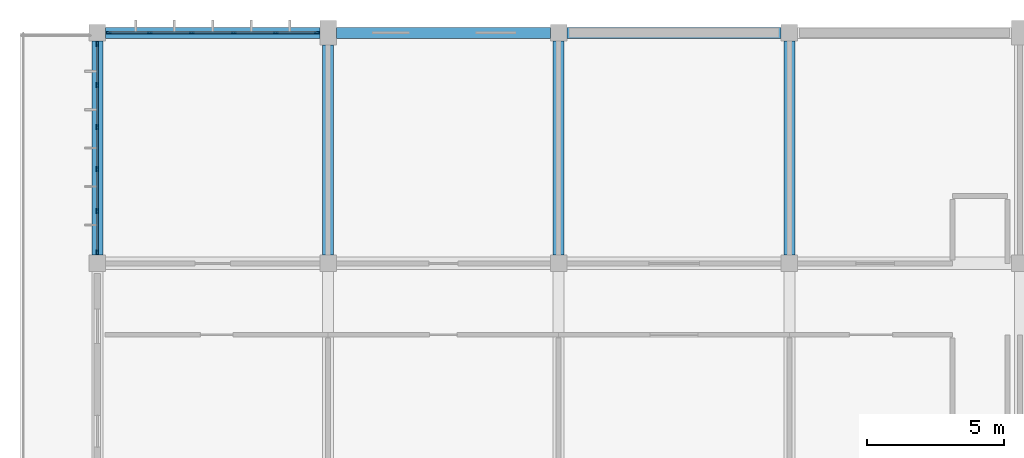
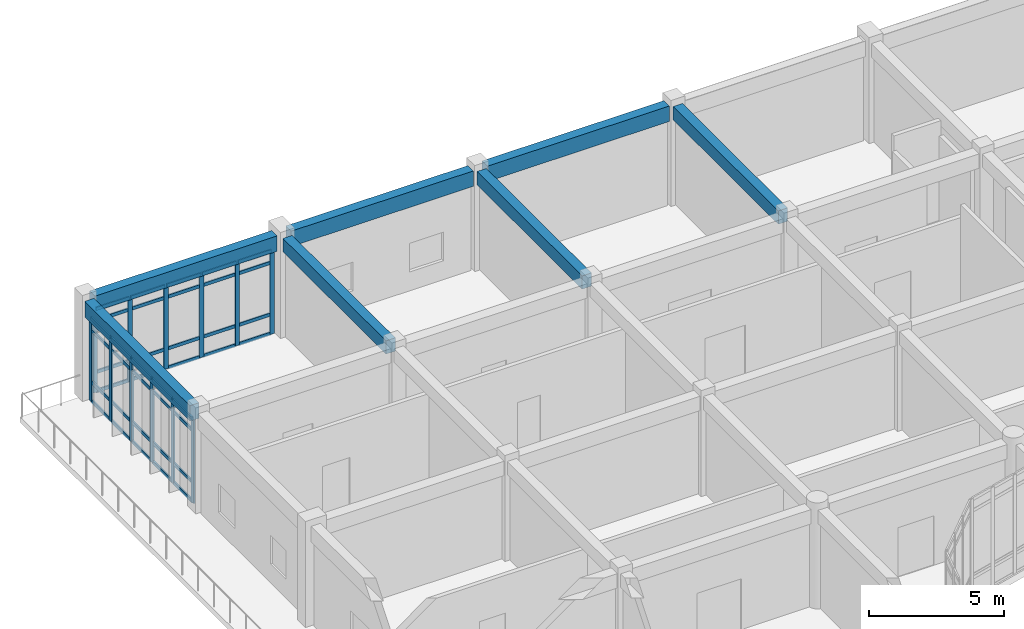
# One storey, part 31 of 138: 52 members, 7 beams, 2 elements without a shape of their own.
"""IFC4 building model written with IfcOpenShell, lengths in metres."""

from ifc_helpers import new_model, si_unit, direction, frame, origin, origin_2d, place, context, subcontext, project, spatial, rectangle, extrude, material, layer, layer_set, material_profile, profile_set, type_object, element, aggregate, save


model = new_model("IFC4")

# Units and contexts
model_context = context("Model", 3, precision=1e-05, world=origin(), true_north=direction((0.0, 1.0)))
body_context = subcontext(model_context, "Body", "Model", "MODEL_VIEW")
ifc_project = project(units=[si_unit("LENGTHUNIT", "METRE"), si_unit("AREAUNIT", "SQUARE_METRE"), si_unit("VOLUMEUNIT", "CUBIC_METRE"), si_unit("PLANEANGLEUNIT", "RADIAN"), si_unit("MASSUNIT", "GRAM", prefix="KILO")], contexts=[model_context])

# Site, building, storey
site_placement = place(None, origin())
site = spatial("IfcSite", under=ifc_project, at=site_placement, CompositionType="ELEMENT")
building_placement = place(site_placement, origin())
building = spatial("IfcBuilding", under=site, at=building_placement, Name="Bramfleet General Hospital", CompositionType="ELEMENT")
storey_placement = place(building_placement, origin())
storey = spatial("IfcBuildingStorey", under=building, at=storey_placement, Name="L00", CompositionType="ELEMENT", Elevation=0.0)

# Beams
ifc_material_1 = material(Name="Concrete C35/45", Category="concrete")
ifc_material_profile_1 = material_profile(ifc_material_1, rectangle(XDim=0.39990234375, YDim=0.60009765625, at=origin_2d()), Name="RC BM 600x400")
ifc_profile_set_1 = profile_set([ifc_material_profile_1], Name="Concrete C35/45")
beam_type_1 = type_object("IfcBeamType", Name="BM-RC600", PredefinedType="BEAM", material=ifc_profile_set_1)
beam_1_placement = place(storey_placement, frame((8.39990234375, 109.5, 4.199951171875), z_axis=(0.0, 1.0, 0.0), x_axis=(-1.0, 0.0, 0.0)))
element("IfcBeam", 1, at=beam_1_placement, inside=storey, type_object=beam_type_1, Name="L00 Grid Beam Y 01-13", PredefinedType="BEAM", context=body_context, shape_type="SweptSolid", body=[
    extrude(rectangle(XDim=0.39990234375, YDim=0.60009765625, at=origin_2d()), origin(), (0.0, 0.0, 1.0), 7.64990234375),
])
for number, where, z_axis, x_axis, name in (
    (2, (16.800048828125, 109.5, 4.199951171875), (0.0, 1.0, 0.0), (-1.0, 0.0, 0.0), "L00 Grid Beam Y 02-13"),
    (3, (25.199951171875, 109.5, 4.199951171875), (0.0, 1.0, 0.0), (-1.0, 0.0, 0.0), "L00 Grid Beam Y 03-13"),
):
    element("IfcBeam", number, at=place(storey_placement, frame(where, z_axis=z_axis, x_axis=x_axis)), inside=storey, type_object=beam_type_1, Name=name, PredefinedType="BEAM", context=body_context, shape_type="SweptSolid", body=[
        extrude(rectangle(XDim=0.39990234375, YDim=0.60009765625, at=origin_2d()), origin(), (0.0, 0.0, 1.0), 7.800048828125),
    ])
ifc_material_profile_2 = material_profile(ifc_material_1, rectangle(XDim=0.39990234375, YDim=0.699951171875, at=origin_2d()), Name="RC SP 700x400")
ifc_profile_set_2 = profile_set([ifc_material_profile_2], Name="Concrete C35/45")
beam_type_2 = type_object("IfcBeamType", Name="BM-SP700", PredefinedType="SPANDREL", material=ifc_profile_set_2)
for number, where, z_axis, x_axis, name in (
    (4, (0.300048828125, 117.60009765625, 4.14990234375), (1.0, 0.0, 0.0), (0.0, 1.0, 0.0), "L00 Grid Beam X 00-14"),
    (5, (8.699951171875, 117.60009765625, 4.14990234375), (1.0, 0.0, 0.0), (0.0, 1.0, 0.0), "L00 Grid Beam X 01-14"),
):
    element("IfcBeam", number, at=place(storey_placement, frame(where, z_axis=z_axis, x_axis=x_axis)), inside=storey, type_object=beam_type_2, Name=name, PredefinedType="SPANDREL", context=body_context, shape_type="SweptSolid", body=[
        extrude(rectangle(XDim=0.39990234375, YDim=0.699951171875, at=origin_2d()), origin(), (0.0, 0.0, 1.0), 7.800048828125),
    ])
beam_2_placement = place(storey_placement, frame((17.10009765625, 117.60009765625, 4.14990234375), z_axis=(1.0, 0.0, 0.0), x_axis=(0.0, 1.0, 0.0)))
element("IfcBeam", 6, at=beam_2_placement, inside=storey, type_object=beam_type_2, Name="L00 Grid Beam X 02-14", PredefinedType="SPANDREL", context=body_context, shape_type="SweptSolid", body=[
    extrude(rectangle(XDim=0.39990234375, YDim=0.699951171875, at=origin_2d()), origin(), (0.0, 0.0, 1.0), 7.7998046875),
])
beam_3_placement = place(storey_placement, frame((0.0, 109.5, 4.14990234375), z_axis=(0.0, 1.0, 0.0), x_axis=(-1.0, 0.0, 0.0)))
element("IfcBeam", 7, at=beam_3_placement, inside=storey, type_object=beam_type_2, Name="L00 Grid Beam Y 00-13", PredefinedType="SPANDREL", context=body_context, shape_type="SweptSolid", body=[
    extrude(rectangle(XDim=0.39990234375, YDim=0.699951171875, at=origin_2d()), origin(), (0.0, 0.0, 1.0), 7.800048828125),
])

# Curtain wall, members
ifc_material_2 = material(Name="Anodised aluminium and low-E triple glazing", Category="aluminium")
ifc_layer_1 = layer(ifc_material_2, 0.179931640625, Name="CWT-CW-02")
ifc_layer_set_1 = layer_set([ifc_layer_1], Name="Anodised aluminium and low-E triple glazing")
curtain_wall_type_1 = type_object("IfcCurtainWallType", Name="CWT-CW-02", PredefinedType="USERDEFINED", material=ifc_layer_set_1)
curtain_wall_1_placement = place(storey_placement, origin())
curtain_wall_1 = element("IfcCurtainWall", 8, at=curtain_wall_1_placement, inside=storey, type_object=curtain_wall_type_1, Name="L00 Curtain Wall 2", ObjectType="Unitised curtain wall", PredefinedType="USERDEFINED")
ifc_material_3 = material(Name="Structural timber GL28h", Category="wood")
ifc_material_profile_3 = material_profile(ifc_material_3, rectangle(XDim=0.070068359375, YDim=0.18994140625, at=origin_2d()), Name="LARCH 190x70")
ifc_profile_set_3 = profile_set([ifc_material_profile_3], Name="Structural timber GL28h")
member_type_1 = type_object("IfcMemberType", Name="CWM-LARCH450", PredefinedType="MULLION", material=ifc_profile_set_3)
member_1_placement = place(storey_placement, frame((0.0, 109.610107421875, 0.0), z_axis=(0.0, 0.0, 1.0), x_axis=(-1.0, 0.0, 0.0)))
member_1 = element("IfcMember", 9, at=member_1_placement, type_object=member_type_1, Name="CW-02 mullion 1", PredefinedType="MULLION", context=body_context, shape_type="SweptSolid", body=[
    extrude(rectangle(XDim=0.070068359375, YDim=0.18994140625, at=origin_2d()), origin(), (0.0, 0.0, 1.0), 3.7900390625),
])
member_2_placement = place(storey_placement, frame((0.0, 111.10498046875, 0.0), z_axis=(0.0, 0.0, 1.0), x_axis=(-1.0, 0.0, 0.0)))
member_2 = element("IfcMember", 10, at=member_2_placement, type_object=member_type_1, Name="CW-02 mullion 2", PredefinedType="MULLION", context=body_context, shape_type="SweptSolid", body=[
    extrude(rectangle(XDim=0.070068359375, YDim=0.18994140625, at=origin_2d()), origin(), (0.0, 0.0, 1.0), 3.7900390625),
])
member_3_placement = place(storey_placement, frame((0.0, 112.635009765625, 0.0), z_axis=(0.0, 0.0, 1.0), x_axis=(-1.0, 0.0, 0.0)))
member_3 = element("IfcMember", 11, at=member_3_placement, type_object=member_type_1, Name="CW-02 mullion 3", PredefinedType="MULLION", context=body_context, shape_type="SweptSolid", body=[
    extrude(rectangle(XDim=0.070068359375, YDim=0.18994140625, at=origin_2d()), origin(), (0.0, 0.0, 1.0), 3.7900390625),
])
member_4_placement = place(storey_placement, frame((0.0, 114.1650390625, 0.0), z_axis=(0.0, 0.0, 1.0), x_axis=(-1.0, 0.0, 0.0)))
member_4 = element("IfcMember", 12, at=member_4_placement, type_object=member_type_1, Name="CW-02 mullion 4", PredefinedType="MULLION", context=body_context, shape_type="SweptSolid", body=[
    extrude(rectangle(XDim=0.070068359375, YDim=0.18994140625, at=origin_2d()), origin(), (0.0, 0.0, 1.0), 3.7900390625),
])
member_5_placement = place(storey_placement, frame((0.0, 115.695068359375, 0.0), z_axis=(0.0, 0.0, 1.0), x_axis=(-1.0, 0.0, 0.0)))
member_5 = element("IfcMember", 13, at=member_5_placement, type_object=member_type_1, Name="CW-02 mullion 5", PredefinedType="MULLION", context=body_context, shape_type="SweptSolid", body=[
    extrude(rectangle(XDim=0.070068359375, YDim=0.18994140625, at=origin_2d()), origin(), (0.0, 0.0, 1.0), 3.7900390625),
])
member_6_placement = place(storey_placement, frame((0.0, 117.18994140625, 0.0), z_axis=(0.0, 0.0, 1.0), x_axis=(-1.0, 0.0, 0.0)))
member_6 = element("IfcMember", 14, at=member_6_placement, type_object=member_type_1, Name="CW-02 mullion 6", PredefinedType="MULLION", context=body_context, shape_type="SweptSolid", body=[
    extrude(rectangle(XDim=0.070068359375, YDim=0.18994140625, at=origin_2d()), origin(), (0.0, 0.0, 1.0), 3.7900390625),
])

ifc_layer_2 = layer(ifc_material_2, 0.179931640625, Name="CWT-CW-03")
ifc_layer_set_2 = layer_set([ifc_layer_2], Name="Anodised aluminium and low-E triple glazing")
curtain_wall_type_2 = type_object("IfcCurtainWallType", Name="CWT-CW-03", PredefinedType="USERDEFINED", material=ifc_layer_set_2)
curtain_wall_2_placement = place(storey_placement, origin())
curtain_wall_2 = element("IfcCurtainWall", 15, at=curtain_wall_2_placement, inside=storey, type_object=curtain_wall_type_2, Name="L00 Curtain Wall 3", ObjectType="Unitised curtain wall", PredefinedType="USERDEFINED")
member_7_placement = place(storey_placement, frame((0.409912109375, 117.60009765625, 0.0), z_axis=(0.0, 0.0, 1.0), x_axis=(0.0, 1.0, 0.0)))
member_7 = element("IfcMember", 16, at=member_7_placement, type_object=member_type_1, Name="CW-03 mullion 1", PredefinedType="MULLION", context=body_context, shape_type="SweptSolid", body=[
    extrude(rectangle(XDim=0.070068359375, YDim=0.18994140625, at=origin_2d()), origin(), (0.0, 0.0, 1.0), 3.7900390625),
])
member_8_placement = place(storey_placement, frame((1.905029296875, 117.60009765625, 0.0), z_axis=(0.0, 0.0, 1.0), x_axis=(0.0, 1.0, 0.0)))
member_8 = element("IfcMember", 17, at=member_8_placement, type_object=member_type_1, Name="CW-03 mullion 2", PredefinedType="MULLION", context=body_context, shape_type="SweptSolid", body=[
    extrude(rectangle(XDim=0.070068359375, YDim=0.18994140625, at=origin_2d()), origin(), (0.0, 0.0, 1.0), 3.7900390625),
])
member_9_placement = place(storey_placement, frame((3.43505859375, 117.60009765625, 0.0), z_axis=(0.0, 0.0, 1.0), x_axis=(0.0, 1.0, 0.0)))
member_9 = element("IfcMember", 18, at=member_9_placement, type_object=member_type_1, Name="CW-03 mullion 3", PredefinedType="MULLION", context=body_context, shape_type="SweptSolid", body=[
    extrude(rectangle(XDim=0.070068359375, YDim=0.18994140625, at=origin_2d()), origin(), (0.0, 0.0, 1.0), 3.7900390625),
])
member_10_placement = place(storey_placement, frame((4.965087890625, 117.60009765625, 0.0), z_axis=(0.0, 0.0, 1.0), x_axis=(0.0, 1.0, 0.0)))
member_10 = element("IfcMember", 19, at=member_10_placement, type_object=member_type_1, Name="CW-03 mullion 4", PredefinedType="MULLION", context=body_context, shape_type="SweptSolid", body=[
    extrude(rectangle(XDim=0.070068359375, YDim=0.18994140625, at=origin_2d()), origin(), (0.0, 0.0, 1.0), 3.7900390625),
])
member_11_placement = place(storey_placement, frame((6.4951171875, 117.60009765625, 0.0), z_axis=(0.0, 0.0, 1.0), x_axis=(0.0, 1.0, 0.0)))
member_11 = element("IfcMember", 20, at=member_11_placement, type_object=member_type_1, Name="CW-03 mullion 5", PredefinedType="MULLION", context=body_context, shape_type="SweptSolid", body=[
    extrude(rectangle(XDim=0.070068359375, YDim=0.18994140625, at=origin_2d()), origin(), (0.0, 0.0, 1.0), 3.7900390625),
])
member_12_placement = place(storey_placement, frame((7.989990234375, 117.60009765625, 0.0), z_axis=(0.0, 0.0, 1.0), x_axis=(0.0, 1.0, 0.0)))
member_12 = element("IfcMember", 21, at=member_12_placement, type_object=member_type_1, Name="CW-03 mullion 6", PredefinedType="MULLION", context=body_context, shape_type="SweptSolid", body=[
    extrude(rectangle(XDim=0.070068359375, YDim=0.18994140625, at=origin_2d()), origin(), (0.0, 0.0, 1.0), 3.7900390625),
])

# Member
ifc_material_profile_4 = material_profile(ifc_material_3, rectangle(XDim=0.06494140625, YDim=0.14990234375, at=origin_2d()), Name="LARCH 150x65")
ifc_profile_set_4 = profile_set([ifc_material_profile_4], Name="Structural timber GL28h")
member_type_2 = type_object("IfcMemberType", Name="CWT-LARCH220", PredefinedType="USERDEFINED", material=ifc_profile_set_4)
member_13_placement = place(storey_placement, frame((0.0, 109.64501953125, 0.032470703125), z_axis=(0.0, 1.0, 0.0), x_axis=(-1.0, 0.0, 0.0)))
member_13 = element("IfcMember", 22, at=member_13_placement, type_object=member_type_2, Name="CW-02 transom 1.1", ObjectType="TRANSOM", PredefinedType="USERDEFINED", context=body_context, shape_type="SweptSolid", body=[
    extrude(rectangle(XDim=0.06494140625, YDim=0.14990234375, at=origin_2d()), origin(), (0.0, 0.0, 1.0), 1.425048828125),
])

member_14_placement = place(storey_placement, frame((0.0, 109.64501953125, 0.89990234375), z_axis=(0.0, 1.0, 0.0), x_axis=(-1.0, 0.0, 0.0)))
member_14 = element("IfcMember", 23, at=member_14_placement, type_object=member_type_2, Name="CW-02 transom 1.2", ObjectType="TRANSOM", PredefinedType="USERDEFINED", context=body_context, shape_type="SweptSolid", body=[
    extrude(rectangle(XDim=0.06494140625, YDim=0.14990234375, at=origin_2d()), origin(), (0.0, 0.0, 1.0), 1.425048828125),
])

member_15_placement = place(storey_placement, frame((0.0, 109.64501953125, 3.239990234375), z_axis=(0.0, 1.0, 0.0), x_axis=(-1.0, 0.0, 0.0)))
member_15 = element("IfcMember", 24, at=member_15_placement, type_object=member_type_2, Name="CW-02 transom 1.3", ObjectType="TRANSOM", PredefinedType="USERDEFINED", context=body_context, shape_type="SweptSolid", body=[
    extrude(rectangle(XDim=0.06494140625, YDim=0.14990234375, at=origin_2d()), origin(), (0.0, 0.0, 1.0), 1.425048828125),
])

member_16_placement = place(storey_placement, frame((0.0, 109.64501953125, 3.757568359375), z_axis=(0.0, 1.0, 0.0), x_axis=(-1.0, 0.0, 0.0)))
member_16 = element("IfcMember", 25, at=member_16_placement, type_object=member_type_2, Name="CW-02 transom 1.4", ObjectType="TRANSOM", PredefinedType="USERDEFINED", context=body_context, shape_type="SweptSolid", body=[
    extrude(rectangle(XDim=0.06494140625, YDim=0.14990234375, at=origin_2d()), origin(), (0.0, 0.0, 1.0), 1.425048828125),
])

member_17_placement = place(storey_placement, frame((0.0, 111.139892578125, 0.032470703125), z_axis=(0.0, 1.0, 0.0), x_axis=(-1.0, 0.0, 0.0)))
member_17 = element("IfcMember", 26, at=member_17_placement, type_object=member_type_2, Name="CW-02 transom 2.1", ObjectType="TRANSOM", PredefinedType="USERDEFINED", context=body_context, shape_type="SweptSolid", body=[
    extrude(rectangle(XDim=0.06494140625, YDim=0.14990234375, at=origin_2d()), origin(), (0.0, 0.0, 1.0), 1.460205078125),
])

member_18_placement = place(storey_placement, frame((0.0, 111.139892578125, 0.89990234375), z_axis=(0.0, 1.0, 0.0), x_axis=(-1.0, 0.0, 0.0)))
member_18 = element("IfcMember", 27, at=member_18_placement, type_object=member_type_2, Name="CW-02 transom 2.2", ObjectType="TRANSOM", PredefinedType="USERDEFINED", context=body_context, shape_type="SweptSolid", body=[
    extrude(rectangle(XDim=0.06494140625, YDim=0.14990234375, at=origin_2d()), origin(), (0.0, 0.0, 1.0), 1.460205078125),
])

member_19_placement = place(storey_placement, frame((0.0, 111.139892578125, 3.239990234375), z_axis=(0.0, 1.0, 0.0), x_axis=(-1.0, 0.0, 0.0)))
member_19 = element("IfcMember", 28, at=member_19_placement, type_object=member_type_2, Name="CW-02 transom 2.3", ObjectType="TRANSOM", PredefinedType="USERDEFINED", context=body_context, shape_type="SweptSolid", body=[
    extrude(rectangle(XDim=0.06494140625, YDim=0.14990234375, at=origin_2d()), origin(), (0.0, 0.0, 1.0), 1.460205078125),
])

member_20_placement = place(storey_placement, frame((0.0, 111.139892578125, 3.757568359375), z_axis=(0.0, 1.0, 0.0), x_axis=(-1.0, 0.0, 0.0)))
member_20 = element("IfcMember", 29, at=member_20_placement, type_object=member_type_2, Name="CW-02 transom 2.4", ObjectType="TRANSOM", PredefinedType="USERDEFINED", context=body_context, shape_type="SweptSolid", body=[
    extrude(rectangle(XDim=0.06494140625, YDim=0.14990234375, at=origin_2d()), origin(), (0.0, 0.0, 1.0), 1.460205078125),
])

member_21_placement = place(storey_placement, frame((0.0, 112.669921875, 0.032470703125), z_axis=(0.0, 1.0, 0.0), x_axis=(-1.0, 0.0, 0.0)))
member_21 = element("IfcMember", 30, at=member_21_placement, type_object=member_type_2, Name="CW-02 transom 3.1", ObjectType="TRANSOM", PredefinedType="USERDEFINED", context=body_context, shape_type="SweptSolid", body=[
    extrude(rectangle(XDim=0.06494140625, YDim=0.14990234375, at=origin_2d()), origin(), (0.0, 0.0, 1.0), 1.4599609375),
])

member_22_placement = place(storey_placement, frame((0.0, 112.669921875, 0.89990234375), z_axis=(0.0, 1.0, 0.0), x_axis=(-1.0, 0.0, 0.0)))
member_22 = element("IfcMember", 31, at=member_22_placement, type_object=member_type_2, Name="CW-02 transom 3.2", ObjectType="TRANSOM", PredefinedType="USERDEFINED", context=body_context, shape_type="SweptSolid", body=[
    extrude(rectangle(XDim=0.06494140625, YDim=0.14990234375, at=origin_2d()), origin(), (0.0, 0.0, 1.0), 1.4599609375),
])

member_23_placement = place(storey_placement, frame((0.0, 112.669921875, 3.239990234375), z_axis=(0.0, 1.0, 0.0), x_axis=(-1.0, 0.0, 0.0)))
member_23 = element("IfcMember", 32, at=member_23_placement, type_object=member_type_2, Name="CW-02 transom 3.3", ObjectType="TRANSOM", PredefinedType="USERDEFINED", context=body_context, shape_type="SweptSolid", body=[
    extrude(rectangle(XDim=0.06494140625, YDim=0.14990234375, at=origin_2d()), origin(), (0.0, 0.0, 1.0), 1.4599609375),
])

member_24_placement = place(storey_placement, frame((0.0, 112.669921875, 3.757568359375), z_axis=(0.0, 1.0, 0.0), x_axis=(-1.0, 0.0, 0.0)))
member_24 = element("IfcMember", 33, at=member_24_placement, type_object=member_type_2, Name="CW-02 transom 3.4", ObjectType="TRANSOM", PredefinedType="USERDEFINED", context=body_context, shape_type="SweptSolid", body=[
    extrude(rectangle(XDim=0.06494140625, YDim=0.14990234375, at=origin_2d()), origin(), (0.0, 0.0, 1.0), 1.4599609375),
])

member_25_placement = place(storey_placement, frame((0.0, 114.199951171875, 0.032470703125), z_axis=(0.0, 1.0, 0.0), x_axis=(-1.0, 0.0, 0.0)))
member_25 = element("IfcMember", 34, at=member_25_placement, type_object=member_type_2, Name="CW-02 transom 4.1", ObjectType="TRANSOM", PredefinedType="USERDEFINED", context=body_context, shape_type="SweptSolid", body=[
    extrude(rectangle(XDim=0.06494140625, YDim=0.14990234375, at=origin_2d()), origin(), (0.0, 0.0, 1.0), 1.4599609375),
])

member_26_placement = place(storey_placement, frame((0.0, 114.199951171875, 0.89990234375), z_axis=(0.0, 1.0, 0.0), x_axis=(-1.0, 0.0, 0.0)))
member_26 = element("IfcMember", 35, at=member_26_placement, type_object=member_type_2, Name="CW-02 transom 4.2", ObjectType="TRANSOM", PredefinedType="USERDEFINED", context=body_context, shape_type="SweptSolid", body=[
    extrude(rectangle(XDim=0.06494140625, YDim=0.14990234375, at=origin_2d()), origin(), (0.0, 0.0, 1.0), 1.4599609375),
])

member_27_placement = place(storey_placement, frame((0.0, 114.199951171875, 3.239990234375), z_axis=(0.0, 1.0, 0.0), x_axis=(-1.0, 0.0, 0.0)))
member_27 = element("IfcMember", 36, at=member_27_placement, type_object=member_type_2, Name="CW-02 transom 4.3", ObjectType="TRANSOM", PredefinedType="USERDEFINED", context=body_context, shape_type="SweptSolid", body=[
    extrude(rectangle(XDim=0.06494140625, YDim=0.14990234375, at=origin_2d()), origin(), (0.0, 0.0, 1.0), 1.4599609375),
])

member_28_placement = place(storey_placement, frame((0.0, 114.199951171875, 3.757568359375), z_axis=(0.0, 1.0, 0.0), x_axis=(-1.0, 0.0, 0.0)))
member_28 = element("IfcMember", 37, at=member_28_placement, type_object=member_type_2, Name="CW-02 transom 4.4", ObjectType="TRANSOM", PredefinedType="USERDEFINED", context=body_context, shape_type="SweptSolid", body=[
    extrude(rectangle(XDim=0.06494140625, YDim=0.14990234375, at=origin_2d()), origin(), (0.0, 0.0, 1.0), 1.4599609375),
])

member_29_placement = place(storey_placement, frame((0.0, 115.72998046875, 0.032470703125), z_axis=(0.0, 1.0, 0.0), x_axis=(-1.0, 0.0, 0.0)))
member_29 = element("IfcMember", 38, at=member_29_placement, type_object=member_type_2, Name="CW-02 transom 5.1", ObjectType="TRANSOM", PredefinedType="USERDEFINED", context=body_context, shape_type="SweptSolid", body=[
    extrude(rectangle(XDim=0.06494140625, YDim=0.14990234375, at=origin_2d()), origin(), (0.0, 0.0, 1.0), 1.425048828125),
])

member_30_placement = place(storey_placement, frame((0.0, 115.72998046875, 0.89990234375), z_axis=(0.0, 1.0, 0.0), x_axis=(-1.0, 0.0, 0.0)))
member_30 = element("IfcMember", 39, at=member_30_placement, type_object=member_type_2, Name="CW-02 transom 5.2", ObjectType="TRANSOM", PredefinedType="USERDEFINED", context=body_context, shape_type="SweptSolid", body=[
    extrude(rectangle(XDim=0.06494140625, YDim=0.14990234375, at=origin_2d()), origin(), (0.0, 0.0, 1.0), 1.425048828125),
])

member_31_placement = place(storey_placement, frame((0.0, 115.72998046875, 3.239990234375), z_axis=(0.0, 1.0, 0.0), x_axis=(-1.0, 0.0, 0.0)))
member_31 = element("IfcMember", 40, at=member_31_placement, type_object=member_type_2, Name="CW-02 transom 5.3", ObjectType="TRANSOM", PredefinedType="USERDEFINED", context=body_context, shape_type="SweptSolid", body=[
    extrude(rectangle(XDim=0.06494140625, YDim=0.14990234375, at=origin_2d()), origin(), (0.0, 0.0, 1.0), 1.425048828125),
])

member_32_placement = place(storey_placement, frame((0.0, 115.72998046875, 3.757568359375), z_axis=(0.0, 1.0, 0.0), x_axis=(-1.0, 0.0, 0.0)))
member_32 = element("IfcMember", 41, at=member_32_placement, type_object=member_type_2, Name="CW-02 transom 5.4", ObjectType="TRANSOM", PredefinedType="USERDEFINED", context=body_context, shape_type="SweptSolid", body=[
    extrude(rectangle(XDim=0.06494140625, YDim=0.14990234375, at=origin_2d()), origin(), (0.0, 0.0, 1.0), 1.425048828125),
])

aggregate(curtain_wall_1, [member_1, member_2, member_3, member_4, member_5, member_6, member_13, member_14, member_15, member_16, member_17, member_18, member_19, member_20, member_21, member_22, member_23, member_24, member_25, member_26, member_27, member_28, member_29, member_30, member_31, member_32])

member_33_placement = place(storey_placement, frame((0.445068359375, 117.60009765625, 0.032470703125), z_axis=(1.0, 0.0, 0.0), x_axis=(0.0, 1.0, 0.0)))
member_33 = element("IfcMember", 42, at=member_33_placement, type_object=member_type_2, Name="CW-03 transom 1.1", ObjectType="TRANSOM", PredefinedType="USERDEFINED", context=body_context, shape_type="SweptSolid", body=[
    extrude(rectangle(XDim=0.06494140625, YDim=0.14990234375, at=origin_2d()), origin(), (0.0, 0.0, 1.0), 1.425048828125),
])

member_34_placement = place(storey_placement, frame((0.445068359375, 117.60009765625, 0.89990234375), z_axis=(1.0, 0.0, 0.0), x_axis=(0.0, 1.0, 0.0)))
member_34 = element("IfcMember", 43, at=member_34_placement, type_object=member_type_2, Name="CW-03 transom 1.2", ObjectType="TRANSOM", PredefinedType="USERDEFINED", context=body_context, shape_type="SweptSolid", body=[
    extrude(rectangle(XDim=0.06494140625, YDim=0.14990234375, at=origin_2d()), origin(), (0.0, 0.0, 1.0), 1.425048828125),
])

member_35_placement = place(storey_placement, frame((0.445068359375, 117.60009765625, 3.239990234375), z_axis=(1.0, 0.0, 0.0), x_axis=(0.0, 1.0, 0.0)))
member_35 = element("IfcMember", 44, at=member_35_placement, type_object=member_type_2, Name="CW-03 transom 1.3", ObjectType="TRANSOM", PredefinedType="USERDEFINED", context=body_context, shape_type="SweptSolid", body=[
    extrude(rectangle(XDim=0.06494140625, YDim=0.14990234375, at=origin_2d()), origin(), (0.0, 0.0, 1.0), 1.425048828125),
])

member_36_placement = place(storey_placement, frame((0.445068359375, 117.60009765625, 3.757568359375), z_axis=(1.0, 0.0, 0.0), x_axis=(0.0, 1.0, 0.0)))
member_36 = element("IfcMember", 45, at=member_36_placement, type_object=member_type_2, Name="CW-03 transom 1.4", ObjectType="TRANSOM", PredefinedType="USERDEFINED", context=body_context, shape_type="SweptSolid", body=[
    extrude(rectangle(XDim=0.06494140625, YDim=0.14990234375, at=origin_2d()), origin(), (0.0, 0.0, 1.0), 1.425048828125),
])

member_37_placement = place(storey_placement, frame((1.93994140625, 117.60009765625, 0.032470703125), z_axis=(1.0, 0.0, 0.0), x_axis=(0.0, 1.0, 0.0)))
member_37 = element("IfcMember", 46, at=member_37_placement, type_object=member_type_2, Name="CW-03 transom 2.1", ObjectType="TRANSOM", PredefinedType="USERDEFINED", context=body_context, shape_type="SweptSolid", body=[
    extrude(rectangle(XDim=0.06494140625, YDim=0.14990234375, at=origin_2d()), origin(), (0.0, 0.0, 1.0), 1.4599609375),
])

member_38_placement = place(storey_placement, frame((1.93994140625, 117.60009765625, 0.89990234375), z_axis=(1.0, 0.0, 0.0), x_axis=(0.0, 1.0, 0.0)))
member_38 = element("IfcMember", 47, at=member_38_placement, type_object=member_type_2, Name="CW-03 transom 2.2", ObjectType="TRANSOM", PredefinedType="USERDEFINED", context=body_context, shape_type="SweptSolid", body=[
    extrude(rectangle(XDim=0.06494140625, YDim=0.14990234375, at=origin_2d()), origin(), (0.0, 0.0, 1.0), 1.4599609375),
])

member_39_placement = place(storey_placement, frame((1.93994140625, 117.60009765625, 3.239990234375), z_axis=(1.0, 0.0, 0.0), x_axis=(0.0, 1.0, 0.0)))
member_39 = element("IfcMember", 48, at=member_39_placement, type_object=member_type_2, Name="CW-03 transom 2.3", ObjectType="TRANSOM", PredefinedType="USERDEFINED", context=body_context, shape_type="SweptSolid", body=[
    extrude(rectangle(XDim=0.06494140625, YDim=0.14990234375, at=origin_2d()), origin(), (0.0, 0.0, 1.0), 1.4599609375),
])

member_40_placement = place(storey_placement, frame((1.93994140625, 117.60009765625, 3.757568359375), z_axis=(1.0, 0.0, 0.0), x_axis=(0.0, 1.0, 0.0)))
member_40 = element("IfcMember", 49, at=member_40_placement, type_object=member_type_2, Name="CW-03 transom 2.4", ObjectType="TRANSOM", PredefinedType="USERDEFINED", context=body_context, shape_type="SweptSolid", body=[
    extrude(rectangle(XDim=0.06494140625, YDim=0.14990234375, at=origin_2d()), origin(), (0.0, 0.0, 1.0), 1.4599609375),
])

member_41_placement = place(storey_placement, frame((3.469970703125, 117.60009765625, 0.032470703125), z_axis=(1.0, 0.0, 0.0), x_axis=(0.0, 1.0, 0.0)))
member_41 = element("IfcMember", 50, at=member_41_placement, type_object=member_type_2, Name="CW-03 transom 3.1", ObjectType="TRANSOM", PredefinedType="USERDEFINED", context=body_context, shape_type="SweptSolid", body=[
    extrude(rectangle(XDim=0.06494140625, YDim=0.14990234375, at=origin_2d()), origin(), (0.0, 0.0, 1.0), 1.4599609375),
])

member_42_placement = place(storey_placement, frame((3.469970703125, 117.60009765625, 0.89990234375), z_axis=(1.0, 0.0, 0.0), x_axis=(0.0, 1.0, 0.0)))
member_42 = element("IfcMember", 51, at=member_42_placement, type_object=member_type_2, Name="CW-03 transom 3.2", ObjectType="TRANSOM", PredefinedType="USERDEFINED", context=body_context, shape_type="SweptSolid", body=[
    extrude(rectangle(XDim=0.06494140625, YDim=0.14990234375, at=origin_2d()), origin(), (0.0, 0.0, 1.0), 1.4599609375),
])

member_43_placement = place(storey_placement, frame((3.469970703125, 117.60009765625, 3.239990234375), z_axis=(1.0, 0.0, 0.0), x_axis=(0.0, 1.0, 0.0)))
member_43 = element("IfcMember", 52, at=member_43_placement, type_object=member_type_2, Name="CW-03 transom 3.3", ObjectType="TRANSOM", PredefinedType="USERDEFINED", context=body_context, shape_type="SweptSolid", body=[
    extrude(rectangle(XDim=0.06494140625, YDim=0.14990234375, at=origin_2d()), origin(), (0.0, 0.0, 1.0), 1.4599609375),
])

member_44_placement = place(storey_placement, frame((3.469970703125, 117.60009765625, 3.757568359375), z_axis=(1.0, 0.0, 0.0), x_axis=(0.0, 1.0, 0.0)))
member_44 = element("IfcMember", 53, at=member_44_placement, type_object=member_type_2, Name="CW-03 transom 3.4", ObjectType="TRANSOM", PredefinedType="USERDEFINED", context=body_context, shape_type="SweptSolid", body=[
    extrude(rectangle(XDim=0.06494140625, YDim=0.14990234375, at=origin_2d()), origin(), (0.0, 0.0, 1.0), 1.4599609375),
])

member_45_placement = place(storey_placement, frame((5.0, 117.60009765625, 0.032470703125), z_axis=(1.0, 0.0, 0.0), x_axis=(0.0, 1.0, 0.0)))
member_45 = element("IfcMember", 54, at=member_45_placement, type_object=member_type_2, Name="CW-03 transom 4.1", ObjectType="TRANSOM", PredefinedType="USERDEFINED", context=body_context, shape_type="SweptSolid", body=[
    extrude(rectangle(XDim=0.06494140625, YDim=0.14990234375, at=origin_2d()), origin(), (0.0, 0.0, 1.0), 1.4599609375),
])

member_46_placement = place(storey_placement, frame((5.0, 117.60009765625, 0.89990234375), z_axis=(1.0, 0.0, 0.0), x_axis=(0.0, 1.0, 0.0)))
member_46 = element("IfcMember", 55, at=member_46_placement, type_object=member_type_2, Name="CW-03 transom 4.2", ObjectType="TRANSOM", PredefinedType="USERDEFINED", context=body_context, shape_type="SweptSolid", body=[
    extrude(rectangle(XDim=0.06494140625, YDim=0.14990234375, at=origin_2d()), origin(), (0.0, 0.0, 1.0), 1.4599609375),
])

member_47_placement = place(storey_placement, frame((5.0, 117.60009765625, 3.239990234375), z_axis=(1.0, 0.0, 0.0), x_axis=(0.0, 1.0, 0.0)))
member_47 = element("IfcMember", 56, at=member_47_placement, type_object=member_type_2, Name="CW-03 transom 4.3", ObjectType="TRANSOM", PredefinedType="USERDEFINED", context=body_context, shape_type="SweptSolid", body=[
    extrude(rectangle(XDim=0.06494140625, YDim=0.14990234375, at=origin_2d()), origin(), (0.0, 0.0, 1.0), 1.4599609375),
])

member_48_placement = place(storey_placement, frame((5.0, 117.60009765625, 3.757568359375), z_axis=(1.0, 0.0, 0.0), x_axis=(0.0, 1.0, 0.0)))
member_48 = element("IfcMember", 57, at=member_48_placement, type_object=member_type_2, Name="CW-03 transom 4.4", ObjectType="TRANSOM", PredefinedType="USERDEFINED", context=body_context, shape_type="SweptSolid", body=[
    extrude(rectangle(XDim=0.06494140625, YDim=0.14990234375, at=origin_2d()), origin(), (0.0, 0.0, 1.0), 1.4599609375),
])

member_49_placement = place(storey_placement, frame((6.530029296875, 117.60009765625, 0.032470703125), z_axis=(1.0, 0.0, 0.0), x_axis=(0.0, 1.0, 0.0)))
member_49 = element("IfcMember", 58, at=member_49_placement, type_object=member_type_2, Name="CW-03 transom 5.1", ObjectType="TRANSOM", PredefinedType="USERDEFINED", context=body_context, shape_type="SweptSolid", body=[
    extrude(rectangle(XDim=0.06494140625, YDim=0.14990234375, at=origin_2d()), origin(), (0.0, 0.0, 1.0), 1.425048828125),
])

member_50_placement = place(storey_placement, frame((6.530029296875, 117.60009765625, 0.89990234375), z_axis=(1.0, 0.0, 0.0), x_axis=(0.0, 1.0, 0.0)))
member_50 = element("IfcMember", 59, at=member_50_placement, type_object=member_type_2, Name="CW-03 transom 5.2", ObjectType="TRANSOM", PredefinedType="USERDEFINED", context=body_context, shape_type="SweptSolid", body=[
    extrude(rectangle(XDim=0.06494140625, YDim=0.14990234375, at=origin_2d()), origin(), (0.0, 0.0, 1.0), 1.425048828125),
])

member_51_placement = place(storey_placement, frame((6.530029296875, 117.60009765625, 3.239990234375), z_axis=(1.0, 0.0, 0.0), x_axis=(0.0, 1.0, 0.0)))
member_51 = element("IfcMember", 60, at=member_51_placement, type_object=member_type_2, Name="CW-03 transom 5.3", ObjectType="TRANSOM", PredefinedType="USERDEFINED", context=body_context, shape_type="SweptSolid", body=[
    extrude(rectangle(XDim=0.06494140625, YDim=0.14990234375, at=origin_2d()), origin(), (0.0, 0.0, 1.0), 1.425048828125),
])

member_52_placement = place(storey_placement, frame((6.530029296875, 117.60009765625, 3.757568359375), z_axis=(1.0, 0.0, 0.0), x_axis=(0.0, 1.0, 0.0)))
member_52 = element("IfcMember", 61, at=member_52_placement, type_object=member_type_2, Name="CW-03 transom 5.4", ObjectType="TRANSOM", PredefinedType="USERDEFINED", context=body_context, shape_type="SweptSolid", body=[
    extrude(rectangle(XDim=0.06494140625, YDim=0.14990234375, at=origin_2d()), origin(), (0.0, 0.0, 1.0), 1.425048828125),
])

aggregate(curtain_wall_2, [member_7, member_8, member_9, member_10, member_11, member_12, member_33, member_34, member_35, member_36, member_37, member_38, member_39, member_40, member_41, member_42, member_43, member_44, member_45, member_46, member_47, member_48, member_49, member_50, member_51, member_52])

save(model, "model.ifc")
